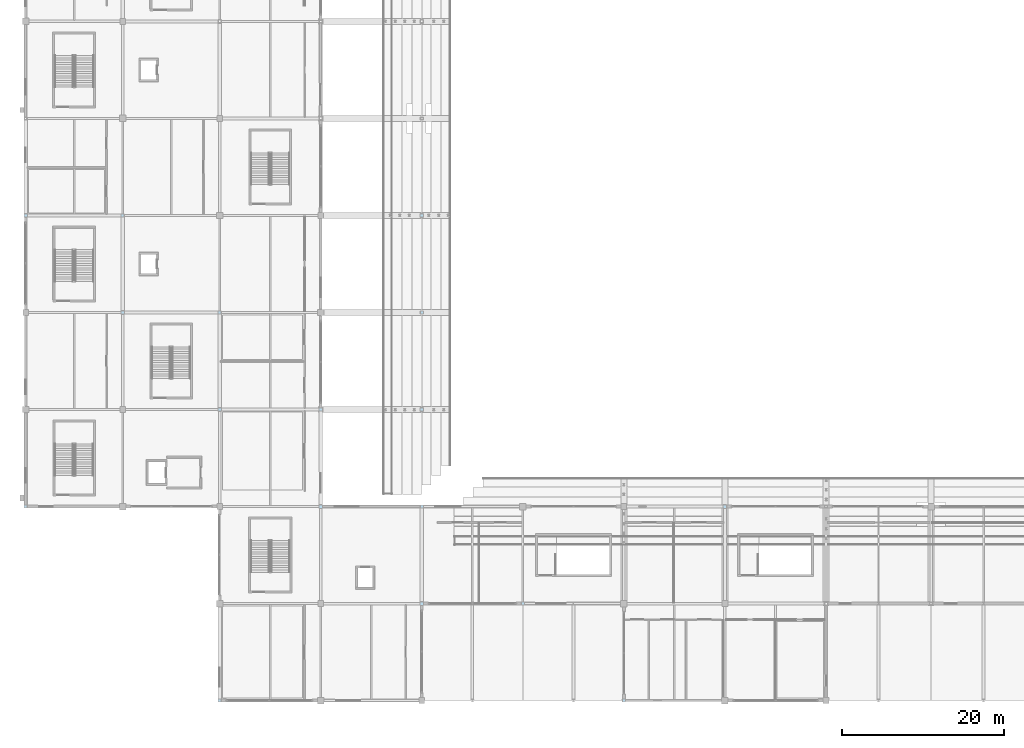
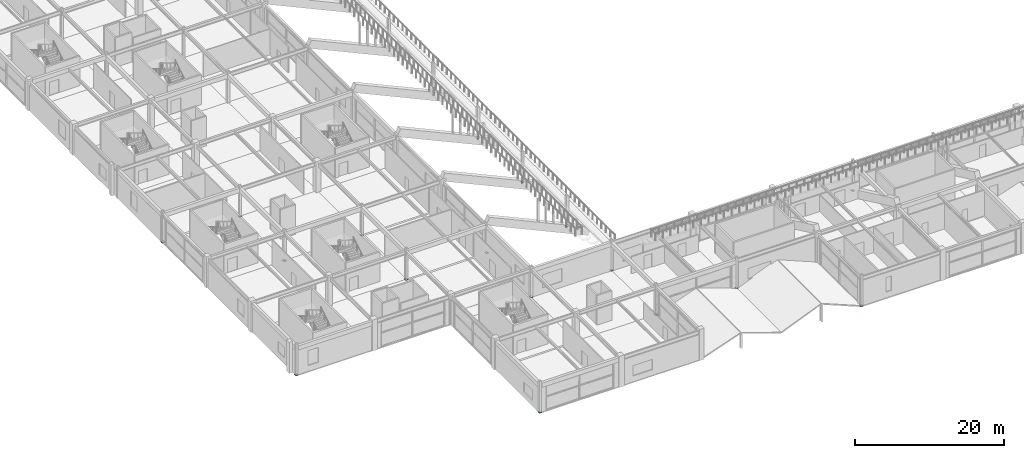
# One storey, part 76 of 128: 17 plates.
"""IFC4 building model written with IfcOpenShell, lengths in metres."""

from ifc_helpers import new_model, si_unit, direction, frame, origin, origin_2d, place, context, subcontext, project, spatial, rectangle, extrude, material, layer, layer_set, type_object, element, save


model = new_model("IFC4")

# Units and contexts
model_context = context("Model", 3, precision=1e-05, world=origin(), true_north=direction((0.0, 1.0)))
body_context = subcontext(model_context, "Body", "Model", "MODEL_VIEW")
ifc_project = project(units=[si_unit("LENGTHUNIT", "METRE"), si_unit("AREAUNIT", "SQUARE_METRE"), si_unit("VOLUMEUNIT", "CUBIC_METRE"), si_unit("PLANEANGLEUNIT", "RADIAN"), si_unit("MASSUNIT", "GRAM", prefix="KILO")], contexts=[model_context])

# Site, building, storey
site_placement = place(None, origin())
site = spatial("IfcSite", under=ifc_project, at=site_placement, CompositionType="ELEMENT")
building_placement = place(site_placement, origin())
building = spatial("IfcBuilding", under=site, at=building_placement, Name="Kazenohara Klinker Stadium", CompositionType="ELEMENT")
storey_placement = place(building_placement, frame((0.0, 0.0, 15.300048828125)))
storey = spatial("IfcBuildingStorey", under=building, at=storey_placement, Name="L03", CompositionType="ELEMENT", Elevation=15.300048828125)

# Plates
ifc_material = material(Name="Steel S355", Category="steel")
ifc_layer_1 = layer(ifc_material, 0.02001953125)
ifc_layer_set_1 = layer_set([ifc_layer_1], Name="Steel S355")
plate_type_1 = type_object("IfcPlateType", Name="PLT-GP01", PredefinedType="USERDEFINED", material=ifc_layer_set_1)
for number, where, z_axis, x_axis, name in (
    (1, (0.0, 36.0, -0.010009765625), (0.0, 0.0, 1.0), (1.0, 0.0, 0.0), "Hollow column end-cap plate GP01 L03 1/D"),
    (2, (12.0, 72.0, -0.010009765625), (0.0, 0.0, 1.0), (1.0, 0.0, 0.0), "Hollow column end-cap plate GP01 L03 2/G"),
    (3, (24.0, 12.0, -0.010009765625), (0.0, 0.0, 1.0), (1.0, 0.0, 0.0), "Hollow column end-cap plate GP01 L03 3/B"),
    (4, (24.0, 60.0, -0.010009765625), (0.0, 0.0, 1.0), (1.0, 0.0, 0.0), "Hollow column end-cap plate GP01 L03 3/F"),
    (5, (49.0, 36.0, -0.010009765625), (0.0, 0.0, 1.0), (1.0, 0.0, 0.0), "Hollow column end-cap plate GP01 L03 5/D"),
    (6, (49.0, 60.0, -0.010009765625), (0.0, 0.0, 1.0), (1.0, 0.0, 0.0), "Hollow column end-cap plate GP01 L03 5/F"),
):
    element("IfcPlate", number, at=place(storey_placement, frame(where, z_axis=z_axis, x_axis=x_axis)), inside=storey, type_object=plate_type_1, Name=name, ObjectType="GUSSET PLATE", PredefinedType="USERDEFINED", context=body_context, shape_type="SweptSolid", body=[
        extrude(rectangle(XDim=0.389892578125, YDim=0.389892578125, at=origin_2d()), origin(), (0.0, 0.0, 1.0), 0.02001953125),
    ])
ifc_layer_2 = layer(ifc_material, 0.02197265625)
ifc_layer_set_2 = layer_set([ifc_layer_2], Name="Steel S355")
plate_type_2 = type_object("IfcPlateType", Name="PLT-GP02", PredefinedType="USERDEFINED", material=ifc_layer_set_2)
for number, where, z_axis, x_axis, name in (
    (7, (36.5, 36.0, -0.010986328125), (0.0, 0.0, 1.0), (1.0, 0.0, 0.0), "Hollow column end-cap plate GP02 L03 4/D"),
    (8, (49.0, 72.0, -0.010986328125), (0.0, 0.0, 1.0), (1.0, 0.0, 0.0), "Hollow column end-cap plate GP02 L03 5/G"),
):
    element("IfcPlate", number, at=place(storey_placement, frame(where, z_axis=z_axis, x_axis=x_axis)), inside=storey, type_object=plate_type_2, Name=name, ObjectType="GUSSET PLATE", PredefinedType="USERDEFINED", context=body_context, shape_type="SweptSolid", body=[
        extrude(rectangle(XDim=0.43994140625, YDim=0.43994140625, at=origin_2d()), origin(), (0.0, 0.0, 1.0), 0.02197265625),
    ])
plate_1_placement = place(storey_placement, frame((61.5, 24.0, -0.010986328125), z_axis=(0.0, 0.0, 1.0), x_axis=(1.0, 0.0, 0.0)))
element("IfcPlate", 9, at=plate_1_placement, inside=storey, type_object=plate_type_2, Name="Hollow column end-cap plate GP02 L03 6/C", ObjectType="GUSSET PLATE", PredefinedType="USERDEFINED", context=body_context, shape_type="SweptSolid", body=[
    extrude(rectangle(XDim=0.389892578125, YDim=0.389892578125, at=origin_2d()), origin(), (0.0, 0.0, 1.0), 0.02197265625),
])
ifc_layer_3 = layer(ifc_material, 0.02392578125)
ifc_layer_set_3 = layer_set([ifc_layer_3], Name="Steel S355")
plate_type_3 = type_object("IfcPlateType", Name="PLT-GP03", PredefinedType="USERDEFINED", material=ifc_layer_set_3)
for number, where, z_axis, x_axis, name in (
    (10, (0.0, 72.0, -0.011962890625), (0.0, 0.0, 1.0), (1.0, 0.0, 0.0), "Hollow column end-cap plate GP03 L03 1/G"),
    (11, (12.0, 60.0, -0.011962890625), (0.0, 0.0, 1.0), (1.0, 0.0, 0.0), "Hollow column end-cap plate GP03 L03 2/F"),
    (12, (24.0, 48.0, -0.011962890625), (0.0, 0.0, 1.0), (1.0, 0.0, 0.0), "Hollow column end-cap plate GP03 L03 3/E"),
    (13, (49.0, 24.0, -0.011962890625), (0.0, 0.0, 1.0), (1.0, 0.0, 0.0), "Hollow column end-cap plate GP03 L03 5/C"),
):
    element("IfcPlate", number, at=place(storey_placement, frame(where, z_axis=z_axis, x_axis=x_axis)), inside=storey, type_object=plate_type_3, Name=name, ObjectType="GUSSET PLATE", PredefinedType="USERDEFINED", context=body_context, shape_type="SweptSolid", body=[
        extrude(rectangle(XDim=0.43994140625, YDim=0.43994140625, at=origin_2d()), origin(), (0.0, 0.0, 1.0), 0.02392578125),
    ])
plate_2_placement = place(storey_placement, frame((74.0, 12.0, -0.011962890625), z_axis=(0.0, 0.0, 1.0), x_axis=(1.0, 0.0, 0.0)))
element("IfcPlate", 14, at=plate_2_placement, inside=storey, type_object=plate_type_3, Name="Hollow column end-cap plate GP03 L03 7/B", ObjectType="GUSSET PLATE", PredefinedType="USERDEFINED", context=body_context, shape_type="SweptSolid", body=[
    extrude(rectangle(XDim=0.389892578125, YDim=0.389892578125, at=origin_2d()), origin(), (0.0, 0.0, 1.0), 0.02392578125),
])
ifc_layer_4 = layer(ifc_material, 0.02490234375)
ifc_layer_set_4 = layer_set([ifc_layer_4], Name="Steel S355")
plate_type_4 = type_object("IfcPlateType", Name="PLT-GP04", PredefinedType="USERDEFINED", material=ifc_layer_set_4)
plate_3_placement = place(storey_placement, frame((36.5, 48.0, -0.012451171875), z_axis=(0.0, 0.0, 1.0), x_axis=(1.0, 0.0, 0.0)))
element("IfcPlate", 15, at=plate_3_placement, inside=storey, type_object=plate_type_4, Name="Hollow column end-cap plate GP04 L03 4/E", ObjectType="GUSSET PLATE", PredefinedType="USERDEFINED", context=body_context, shape_type="SweptSolid", body=[
    extrude(rectangle(XDim=0.389892578125, YDim=0.389892578125, at=origin_2d()), origin(), (0.0, 0.0, 1.0), 0.02490234375),
])
for number, where, z_axis, x_axis, name in (
    (16, (49.0, 48.0, -0.012451171875), (0.0, 0.0, 1.0), (1.0, 0.0, 0.0), "Hollow column end-cap plate GP04 L03 5/E"),
    (17, (86.5, 36.0, -0.012451171875), (0.0, 0.0, 1.0), (1.0, 0.0, 0.0), "Hollow column end-cap plate GP04 L03 8/D"),
):
    element("IfcPlate", number, at=place(storey_placement, frame(where, z_axis=z_axis, x_axis=x_axis)), inside=storey, type_object=plate_type_4, Name=name, ObjectType="GUSSET PLATE", PredefinedType="USERDEFINED", context=body_context, shape_type="SweptSolid", body=[
        extrude(rectangle(XDim=0.43994140625, YDim=0.43994140625, at=origin_2d()), origin(), (0.0, 0.0, 1.0), 0.02490234375),
    ])

save(model, "model.ifc")
